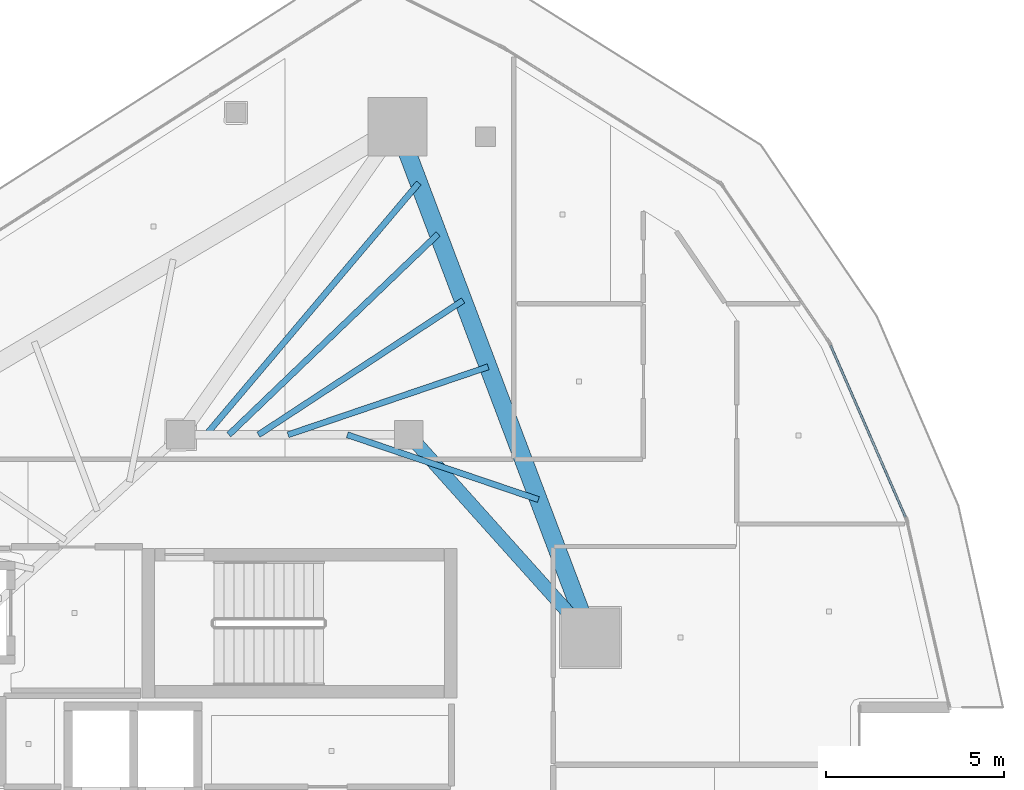
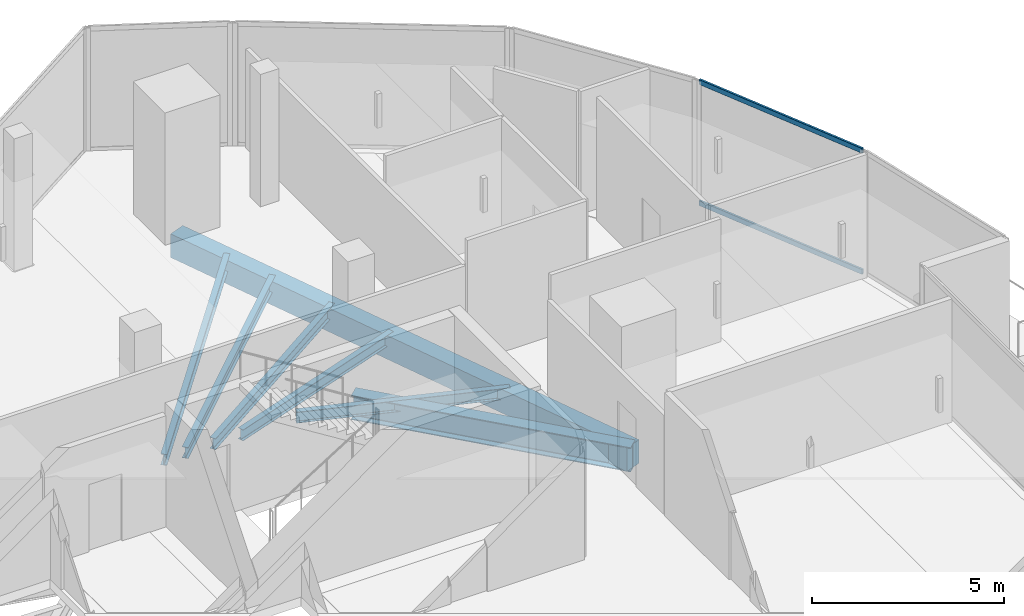
# One storey, part 20 of 34: 7 beams, 2 members, 1 element without a shape of its own.
"""IFC4 building model written with IfcOpenShell, lengths in metres."""

from ifc_helpers import new_model, si_unit, direction, frame, origin, origin_2d, place, context, subcontext, project, spatial, rectangle, hollow_rectangle, i_section, extrude, material, layer, layer_set, material_profile, profile_set, type_object, element, aggregate, save


model = new_model("IFC4")

# Units and contexts
model_context = context("Model", 3, precision=1e-05, world=origin(), true_north=direction((0.0, 1.0)))
body_context = subcontext(model_context, "Body", "Model", "MODEL_VIEW")
ifc_project = project(units=[si_unit("LENGTHUNIT", "METRE"), si_unit("AREAUNIT", "SQUARE_METRE"), si_unit("VOLUMEUNIT", "CUBIC_METRE"), si_unit("PLANEANGLEUNIT", "RADIAN"), si_unit("MASSUNIT", "GRAM", prefix="KILO")], contexts=[model_context])

# Site, building, storey
site_placement = place(None, origin())
site = spatial("IfcSite", under=ifc_project, at=site_placement, CompositionType="ELEMENT")
building_placement = place(site_placement, origin())
building = spatial("IfcBuilding", under=site, at=building_placement, Name="Qorvath Tower", CompositionType="ELEMENT")
storey_placement = place(building_placement, frame((0.0, 0.0, 268.199951171875)))
storey = spatial("IfcBuildingStorey", under=building, at=storey_placement, Name="L62", CompositionType="ELEMENT", Elevation=268.199951171875)

# Beams
ifc_material_1 = material(Name="Steel ASTM A992 Grade 50", Category="steel")
ifc_material_profile_1 = material_profile(ifc_material_1, i_section(OverallWidth=0.381103515625, OverallDepth=0.77294921875, WebThickness=0.0166015625, FlangeThickness=0.027099609375, FilletRadius=0.01904296875, at=origin_2d()), Name="W30x173")
ifc_profile_set_1 = profile_set([ifc_material_profile_1], Name="Steel ASTM A992 Grade 50")
beam_type_1 = type_object("IfcBeamType", Name="BM-FG3", PredefinedType="BEAM", material=ifc_profile_set_1)
beam_1_placement = place(storey_placement, frame((-17.199951171875, 11.449951171875, -0.676513671875), z_axis=(0.667543184261, -0.744571082669, 0.0), x_axis=(0.744571082669, 0.667543184261, 0.0)))
element("IfcBeam", 1, at=beam_1_placement, inside=storey, type_object=beam_type_1, Name="Radial Floor Girder CC2-MC5 L62", PredefinedType="BEAM", context=body_context, shape_type="SweptSolid", body=[
    extrude(i_section(OverallWidth=0.381103515625, OverallDepth=0.77294921875, WebThickness=0.0166015625, FlangeThickness=0.027099609375, FilletRadius=0.01904296875, at=origin_2d()), origin(), (0.0, 0.0, 1.0), 7.644775390625),
])
ifc_material_2 = material(Name="Steel ASTM A992 Grade 50", Category="steel")
ifc_material_profile_2 = material_profile(ifc_material_2, i_section(OverallWidth=0.1708984375, OverallDepth=0.35107421875, WebThickness=0.0068359375, FlangeThickness=0.009765625, FilletRadius=0.010009765625, at=origin_2d()), Name="W14x30")
ifc_profile_set_2 = profile_set([ifc_material_profile_2], Name="Steel ASTM A992 Grade 50")
beam_type_2 = type_object("IfcBeamType", Name="BM-FJ4", PredefinedType="JOIST", material=ifc_profile_set_2)
beam_2_placement = place(storey_placement, frame((-18.927978515625, 11.449951171875, -0.465576171875), z_axis=(0.947086298547, -0.32097903842, 0.0), x_axis=(0.32097903842, 0.947086298547, 0.0)))
element("IfcBeam", 2, at=beam_2_placement, inside=storey, type_object=beam_type_2, Name="Composite Floor Joist NE2 L62", PredefinedType="JOIST", context=body_context, shape_type="SweptSolid", body=[
    extrude(i_section(OverallWidth=0.1708984375, OverallDepth=0.35107421875, WebThickness=0.0068359375, FlangeThickness=0.009765625, FilletRadius=0.010009765625, at=origin_2d()), origin(), (0.0, 0.0, 1.0), 5.66796875),
])
beam_3_placement = place(storey_placement, frame((-20.592041015625, 11.449951171875, -0.465576171875), z_axis=(0.946863164885, 0.321636669216, 0.0), x_axis=(-0.321636669216, 0.946863164885, 0.0)))
element("IfcBeam", 3, at=beam_3_placement, inside=storey, type_object=beam_type_2, Name="Composite Floor Joist NE4 L62", PredefinedType="JOIST", context=body_context, shape_type="SweptSolid", body=[
    extrude(i_section(OverallWidth=0.1708984375, OverallDepth=0.35107421875, WebThickness=0.0068359375, FlangeThickness=0.009765625, FilletRadius=0.010009765625, at=origin_2d()), origin(), (0.0, 0.0, 1.0), 5.93896484375),
])
beam_4_placement = place(storey_placement, frame((-21.424072265625, 11.449951171875, -0.465576171875), z_axis=(0.835992964387, 0.548740160272, 0.0), x_axis=(-0.548740160272, 0.835992964387, 0.0)))
element("IfcBeam", 4, at=beam_4_placement, inside=storey, type_object=beam_type_2, Name="Composite Floor Joist NE5 L62", PredefinedType="JOIST", context=body_context, shape_type="SweptSolid", body=[
    extrude(i_section(OverallWidth=0.1708984375, OverallDepth=0.35107421875, WebThickness=0.0068359375, FlangeThickness=0.009765625, FilletRadius=0.010009765625, at=origin_2d()), origin(), (0.0, 0.0, 1.0), 6.879150390625),
])
beam_5_placement = place(storey_placement, frame((-22.256103515625, 11.449951171875, -0.465576171875), z_axis=(0.721625044611, 0.692284114356, 0.0), x_axis=(-0.692284114356, 0.721625044611, 0.0)))
element("IfcBeam", 5, at=beam_5_placement, inside=storey, type_object=beam_type_2, Name="Composite Floor Joist NE6 L62", PredefinedType="JOIST", context=body_context, shape_type="SweptSolid", body=[
    extrude(i_section(OverallWidth=0.1708984375, OverallDepth=0.35107421875, WebThickness=0.0068359375, FlangeThickness=0.009765625, FilletRadius=0.010009765625, at=origin_2d()), origin(), (0.0, 0.0, 1.0), 8.14599609375),
])
beam_6_placement = place(storey_placement, frame((-22.89599609375, 11.449951171875, -0.465576171875), z_axis=(0.645381885676, 0.763860079885, 0.0), x_axis=(-0.763860079885, 0.645381885676, 0.0)))
element("IfcBeam", 6, at=beam_6_placement, inside=storey, type_object=beam_type_2, Name="Composite Floor Joist NE7 L62", PredefinedType="JOIST", context=body_context, shape_type="SweptSolid", body=[
    extrude(i_section(OverallWidth=0.1708984375, OverallDepth=0.35107421875, WebThickness=0.0068359375, FlangeThickness=0.009765625, FilletRadius=0.010009765625, at=origin_2d()), origin(), (0.0, 0.0, 1.0), 9.260498046875),
])
ifc_material_3 = material(Name="Concrete C45/55", Category="concrete")
ifc_material_profile_3 = material_profile(ifc_material_3, rectangle(XDim=0.5, YDim=0.75, at=origin_2d()), Name="RCB 750x500")
ifc_profile_set_3 = profile_set([ifc_material_profile_3], Name="Concrete C45/55")
beam_type_3 = type_object("IfcBeamType", Name="BM-RCB3", PredefinedType="SPANDREL", material=ifc_profile_set_3)
beam_7_placement = place(storey_placement, frame((-12.0966796875, 5.7578125, -0.6650390625), z_axis=(-0.353397781952, 0.935473146441, 0.0), x_axis=(-0.935473146441, -0.353397781952, 0.0)))
element("IfcBeam", 7, at=beam_7_placement, inside=storey, type_object=beam_type_3, Name="Perimeter Loggia Frame Beam MC5-MC6 L62", PredefinedType="SPANDREL", context=body_context, shape_type="SweptSolid", body=[
    extrude(rectangle(XDim=0.5, YDim=0.75, at=origin_2d()), origin(), (0.0, 0.0, 1.0), 15.333251953125),
])

# Curtain wall, members
ifc_material_4 = material(Name="Anodised aluminium and triple low-E glass", Category="aluminium")
ifc_layer = layer(ifc_material_4, 0.179931640625)
ifc_layer_set = layer_set([ifc_layer], Name="CW-SYS-4")
curtain_wall_type = type_object("IfcCurtainWallType", Name="CW-SYS-4", PredefinedType="NOTDEFINED", material=ifc_layer_set)
curtain_wall_placement = place(storey_placement, origin())
curtain_wall = element("IfcCurtainWall", 8, at=curtain_wall_placement, inside=storey, type_object=curtain_wall_type, Name="Curtain Wall CW-4 CW-T-L62-12.1", PredefinedType="NOTDEFINED")
ifc_material_5 = material(Name="Anodised aluminium 6063-T6", Category="aluminium")
ifc_material_profile_4 = material_profile(ifc_material_5, hollow_rectangle(XDim=0.06494140625, YDim=0.159912109375, WallThickness=0.00341796875, InnerFilletRadius=0.00341796875, OuterFilletRadius=0.007080078125, at=origin_2d()), Name="CWT 160x65")
ifc_profile_set_4 = profile_set([ifc_material_profile_4], Name="Anodised aluminium 6063-T6")
member_type = type_object("IfcMemberType", Name="CWT-160", PredefinedType="USERDEFINED", material=ifc_profile_set_4)
member_1_placement = place(storey_placement, frame((-3.246337890625, 9.13623046875, 0.032470703125), z_axis=(-0.399879269802, 0.916567820504, 0.0), x_axis=(-0.916567820504, -0.399879269802, 0.0)))
member_1 = element("IfcMember", 9, at=member_1_placement, type_object=member_type, Name="CW-4 transom 1.1", ObjectType="TRANSOM", PredefinedType="USERDEFINED", context=body_context, shape_type="SweptSolid", body=[
    extrude(hollow_rectangle(XDim=0.06494140625, YDim=0.159912109375, WallThickness=0.00341796875, InnerFilletRadius=0.00341796875, OuterFilletRadius=0.007080078125, at=origin_2d()), origin(), (0.0, 0.0, 1.0), 5.262939453125),
])
member_2_placement = place(storey_placement, frame((-3.246337890625, 9.13623046875, 3.877685546875), z_axis=(-0.399879269802, 0.916567820504, 0.0), x_axis=(-0.916567820504, -0.399879269802, 0.0)))
member_2 = element("IfcMember", 10, at=member_2_placement, type_object=member_type, Name="CW-4 transom 1.2", ObjectType="TRANSOM", PredefinedType="USERDEFINED", context=body_context, shape_type="SweptSolid", body=[
    extrude(hollow_rectangle(XDim=0.06494140625, YDim=0.159912109375, WallThickness=0.00341796875, InnerFilletRadius=0.00341796875, OuterFilletRadius=0.007080078125, at=origin_2d()), origin(), (0.0, 0.0, 1.0), 5.262939453125),
])
aggregate(curtain_wall, [member_1, member_2])

save(model, "model.ifc")
